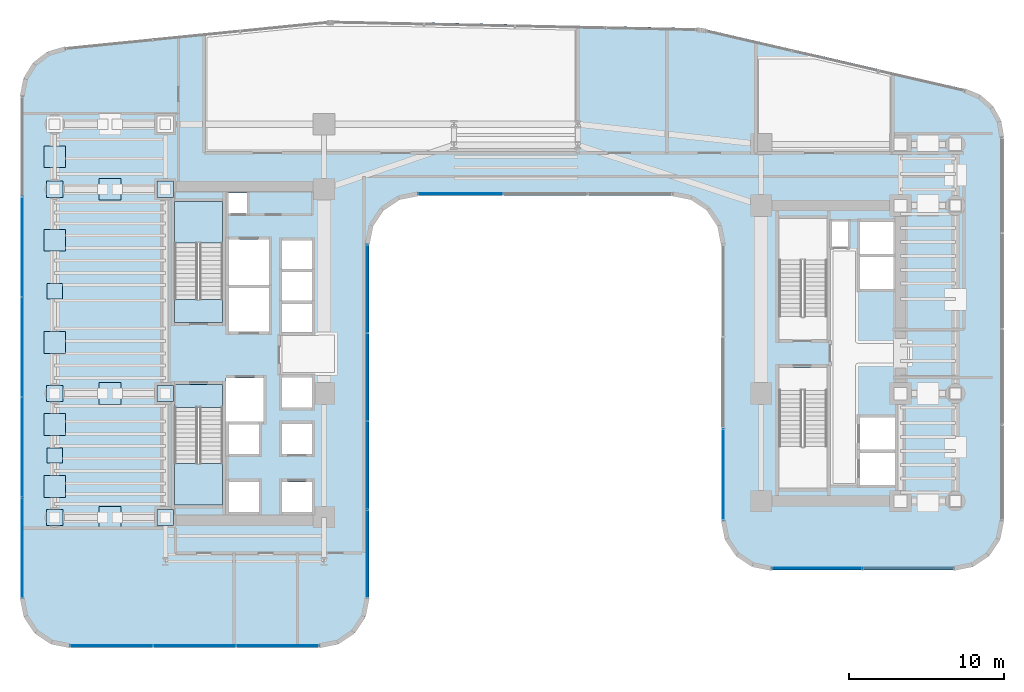
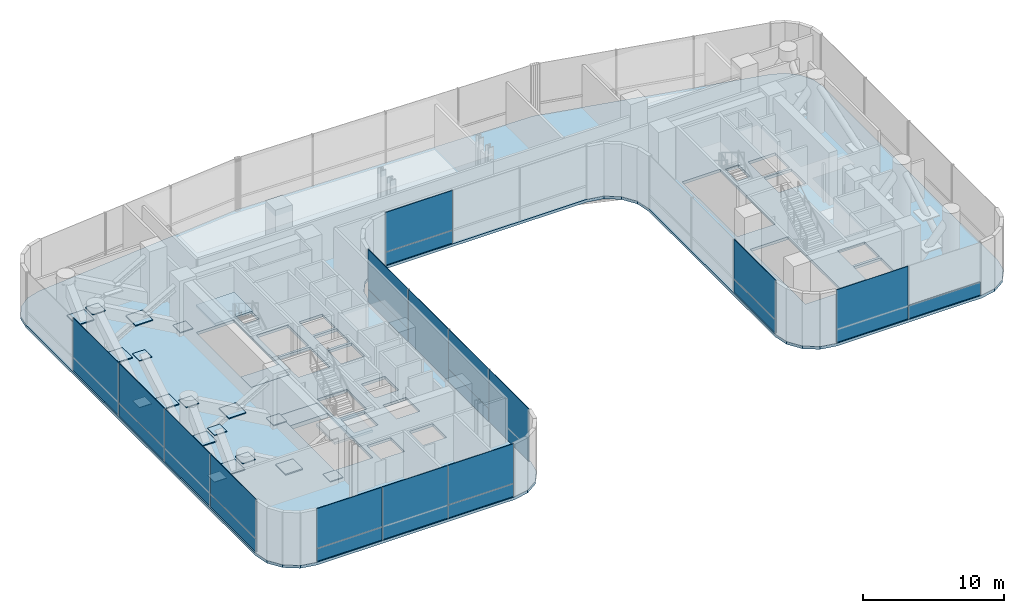
# One storey, part 30 of 39: 41 plates, 5 slabs, 8 elements without a shape of their own.
"""IFC4 building model written with IfcOpenShell, lengths in metres."""

import ifcopenshell
import ifcopenshell.guid

model = None  # the IFC model being written
_history = None  # IfcOwnerHistory: only IFC2X3 demands one
_inside = {}  # id of a spatial element -> (the spatial element, [elements in it])
_under = {}  # id of a project, library or spatial element -> (it, [spatial elements below it])
_declared = {}  # id of a project -> (the project, [libraries it declares])
_typed = {}  # id of a type object -> (the type object, [elements of that type])
_made_of = {}  # id of a material, layer set ... -> (it, [elements and type objects made of it])


def new_model(schema):
    """Start an empty IFC model of exactly this schema.

    Asked for "IFC4X3", IfcOpenShell would pick the latest addendum, in which some entities
    have other attributes; the version numbers below select the first issue.
    IFC2X3 requires an IfcOwnerHistory on every rooted entity: one is made here for all.
    """
    global model, _history
    if schema == "IFC4X3":
        model = ifcopenshell.file(schema_version=(4, 3, 0, 0))
    else:
        model = ifcopenshell.file(schema=schema)
    _inside.clear()
    _under.clear()
    _declared.clear()
    _typed.clear()
    _made_of.clear()
    _history = None
    if model.schema == "IFC2X3":
        org = make("IfcOrganization", Name="unknown")
        user = make(
            "IfcPersonAndOrganization",
            ThePerson=make("IfcPerson", FamilyName="unknown"),
            TheOrganization=org,
        )
        app = make(
            "IfcApplication",
            ApplicationDeveloper=org,
            Version="unknown",
            ApplicationFullName="unknown",
            ApplicationIdentifier="unknown",
        )
        _history = make(
            "IfcOwnerHistory",
            OwningUser=user,
            OwningApplication=app,
            ChangeAction="ADDED",
            CreationDate=0,
        )
    return model


def make(cls, **values):
    """One entity of the class cls with the attributes given. An attribute that is None is left unset."""
    return model.create_entity(
        cls, **{name: value for name, value in values.items() if value is not None}
    )


def rooted(cls, **values):
    """An entity with a GlobalId (a new one), such as an element, a storey or a relation."""
    return make(cls, GlobalId=ifcopenshell.guid.new(), OwnerHistory=_history, **values)


def si_unit(unit_type, name, prefix=None):
    """IfcSIUnit, for example si_unit("LENGTHUNIT", "METRE", prefix="MILLI")."""
    return make("IfcSIUnit", UnitType=unit_type, Prefix=prefix, Name=name)


def assignment(units):
    """IfcUnitAssignment: the units of a project."""
    return None if units is None else make("IfcUnitAssignment", Units=units)


def point(xyz):
    """IfcCartesianPoint."""
    return None if xyz is None else make("IfcCartesianPoint", Coordinates=xyz)


def direction(xyz):
    """IfcDirection."""
    return None if xyz is None else make("IfcDirection", DirectionRatios=xyz)


def frame(location, z_axis=None, x_axis=None):
    """IfcAxis2Placement3D, a coordinate frame: its origin and axes. An axis left out is left unset."""
    return make(
        "IfcAxis2Placement3D",
        Location=point(location),
        Axis=direction(z_axis),
        RefDirection=direction(x_axis),
    )


def frame_2d(location, x_axis=None):
    """IfcAxis2Placement2D, a coordinate frame in the plane: its origin and x axis."""
    return make(
        "IfcAxis2Placement2D", Location=point(location), RefDirection=direction(x_axis)
    )


def origin():
    """The frame at (0, 0, 0) with its axes left unset."""
    return frame((0.0, 0.0, 0.0))


def origin_2d():
    """The frame at (0, 0) in the plane with its x axis left unset."""
    return frame_2d((0.0, 0.0))


def place(relative_to, where):
    """IfcLocalPlacement: puts the frame where relative to a parent placement (None: the world)."""
    return make(
        "IfcLocalPlacement", PlacementRelTo=relative_to, RelativePlacement=where
    )


def context(
    kind, dimensions, precision=None, world=None, true_north=None, identifier=None
):
    """IfcGeometricRepresentationContext, for example the 3D "Model" context."""
    return make(
        "IfcGeometricRepresentationContext",
        ContextIdentifier=identifier,
        ContextType=kind,
        CoordinateSpaceDimension=dimensions,
        Precision=precision,
        WorldCoordinateSystem=world,
        TrueNorth=true_north,
    )


def subcontext(parent, identifier, kind, view, scale=None):
    """IfcGeometricRepresentationSubContext, for example "Body" below "Model"."""
    return make(
        "IfcGeometricRepresentationSubContext",
        ContextIdentifier=identifier,
        ContextType=kind,
        ParentContext=parent,
        TargetScale=scale,
        TargetView=view,
    )


def project(units=None, contexts=None):
    """IfcProject with its units and contexts."""
    return rooted(
        "IfcProject",
        Name="project",
        RepresentationContexts=contexts,
        UnitsInContext=assignment(units),
    )


def spatial(cls, under=None, at=None, **own):
    """A site, building, storey or space (cls), placed at a placement, below another one or the project."""
    s = rooted(cls, ObjectPlacement=at, **own)
    if under is not None:
        _under.setdefault(under.id(), (under, []))[1].append(s)
    return s


def polyline(points):
    """IfcPolyline through the points."""
    return make("IfcPolyline", Points=[point(p) for p in points])


def profile(cls, at=None, kind="AREA", **sizes):
    """A parametric profile (cls). Its sizes go by their IFC names, for example OverallWidth=200.0."""
    return make(cls, ProfileType=kind, Position=at, **sizes)


def rectangle(**sizes):
    """IfcRectangleProfileDef."""
    return profile("IfcRectangleProfileDef", **sizes)


def outline(outer, holes=None, kind="AREA"):
    """IfcArbitraryClosedProfileDef: a profile drawn as a closed curve; with holes, ...WithVoids."""
    if holes is None:
        return make("IfcArbitraryClosedProfileDef", ProfileType=kind, OuterCurve=outer)
    return make(
        "IfcArbitraryProfileDefWithVoids",
        ProfileType=kind,
        OuterCurve=outer,
        InnerCurves=holes,
    )


def extrude(swept, where, along, depth):
    """IfcExtrudedAreaSolid: the profile swept, set in the frame where, extruded along a direction by depth."""
    return make(
        "IfcExtrudedAreaSolid",
        SweptArea=swept,
        Position=where,
        ExtrudedDirection=direction(along),
        Depth=depth,
    )


def shape(context_of_items, identifier, shape_type, items):
    """IfcShapeRepresentation: the items that make up one representation, for example the "Body"."""
    return make(
        "IfcShapeRepresentation",
        ContextOfItems=context_of_items,
        RepresentationIdentifier=identifier,
        RepresentationType=shape_type,
        Items=items,
    )


def source(mapping_origin, context_of_items, identifier, shape_type, items):
    """IfcRepresentationMap: a shape defined once, which mapped items show again and again."""
    return make(
        "IfcRepresentationMap",
        MappingOrigin=mapping_origin,
        MappedRepresentation=shape(context_of_items, identifier, shape_type, items),
    )


def transform(
    local_origin,
    x_axis=None,
    y_axis=None,
    z_axis=None,
    scale=None,
    scale2=None,
    scale3=None,
    uniform=True,
):
    """IfcCartesianTransformationOperator3D, or its non-uniform kind. x_axis, y_axis, z_axis: its Axis1, 2, 3."""
    if uniform:
        return make(
            "IfcCartesianTransformationOperator3D",
            Axis1=direction(x_axis),
            Axis2=direction(y_axis),
            LocalOrigin=point(local_origin),
            Scale=scale,
            Axis3=direction(z_axis),
        )
    return make(
        "IfcCartesianTransformationOperator3DnonUniform",
        Axis1=direction(x_axis),
        Axis2=direction(y_axis),
        LocalOrigin=point(local_origin),
        Scale=scale,
        Axis3=direction(z_axis),
        Scale2=scale2,
        Scale3=scale3,
    )


def mapped(mapping_source, mapping_target):
    """IfcMappedItem: shows the shape of a source again, moved by a transform."""
    return make(
        "IfcMappedItem", MappingSource=mapping_source, MappingTarget=mapping_target
    )


def material(Name=None, Category=None):
    """IfcMaterial."""
    return make("IfcMaterial", Name=Name, Category=Category)


def layer(
    of_material, thickness, ventilated=None, Name=None, Category=None, Priority=None
):
    """IfcMaterialLayer: one layer of a wall or slab, of a material (None: an air gap)."""
    return make(
        "IfcMaterialLayer",
        Material=of_material,
        LayerThickness=thickness,
        IsVentilated=ventilated,
        Name=Name,
        Category=Category,
        Priority=Priority,
    )


def layer_set(layers, Name=None):
    """IfcMaterialLayerSet."""
    return make("IfcMaterialLayerSet", MaterialLayers=layers, LayerSetName=Name)


def made_of(thing, what):
    """Note that an element or type object is made of a material, layer set ...; save() writes the relation."""
    if what is not None:
        _made_of.setdefault(what.id(), (what, []))[1].append(thing)
    return thing


def type_object(cls, material=None, **own):
    """A type object (cls), such as IfcWallType, which elements share."""
    return made_of(rooted(cls, **own), material)


def element(
    cls,
    number,
    at=None,
    inside=None,
    cuts=None,
    type_object=None,
    material=None,
    context=None,
    identifier="Body",
    shape_type=None,
    held_by="IfcProductDefinitionShape",
    body=None,
    shapes=None,
    **own,
):
    """One element of the class cls, such as IfcWall. Its Tag is "e" and its number.

    at: its placement. inside: the storey or other place that contains it. cuts: it is an
    opening in that element (IfcRelVoidsElement). A single representation is given by context,
    identifier, shape_type and body (its items); several are given by shapes. held_by: the class
    of the entity that holds the representations. save() writes the other relations.
    """
    e = rooted(cls, Tag="e%d" % number, ObjectPlacement=at, **own)
    if body is not None:
        shapes = [shape(context, identifier, shape_type, body)]
    if shapes is not None:
        e.Representation = make(held_by, Representations=shapes)
    if inside is not None:
        _inside.setdefault(inside.id(), (inside, []))[1].append(e)
    if cuts is not None:
        rooted(
            "IfcRelVoidsElement", RelatingBuildingElement=cuts, RelatedOpeningElement=e
        )
    if type_object is not None:
        _typed.setdefault(type_object.id(), (type_object, []))[1].append(e)
    return made_of(e, material)


def aggregate(whole, parts):
    """IfcRelAggregates: a whole, such as a stair, and the parts it consists of."""
    return rooted("IfcRelAggregates", RelatingObject=whole, RelatedObjects=parts)


def save(model, path):
    """Write the relations noted so far, then the file.

    IfcRelAggregates (storeys below a building ...), IfcRelContainedInSpatialStructure (elements
    in a storey), IfcRelDefinesByType, IfcRelAssociatesMaterial and IfcRelDeclares: one each for
    every whole, place, type object, material and project.
    """
    for whole, parts in _under.values():
        aggregate(whole, parts)
    for where, things in _inside.values():
        rooted(
            "IfcRelContainedInSpatialStructure",
            RelatedElements=things,
            RelatingStructure=where,
        )
    for kind, things in _typed.values():
        rooted("IfcRelDefinesByType", RelatedObjects=things, RelatingType=kind)
    for what, things in _made_of.values():
        rooted("IfcRelAssociatesMaterial", RelatedObjects=things, RelatingMaterial=what)
    for by, libraries in _declared.values():
        rooted("IfcRelDeclares", RelatingContext=by, RelatedDefinitions=libraries)
    model.write(path)


model = new_model("IFC4")

# Units and contexts
model_context = context("Model", 3, precision=1e-05, world=origin(), true_north=direction((0.0, 1.0)))
body_context = subcontext(model_context, "Body", "Model", "MODEL_VIEW")
ifc_project = project(units=[si_unit("LENGTHUNIT", "METRE"), si_unit("AREAUNIT", "SQUARE_METRE"), si_unit("VOLUMEUNIT", "CUBIC_METRE"), si_unit("PLANEANGLEUNIT", "RADIAN"), si_unit("MASSUNIT", "GRAM", prefix="KILO")], contexts=[model_context])

# Site, building, storey
site_placement = place(None, origin())
site = spatial("IfcSite", under=ifc_project, at=site_placement, CompositionType="ELEMENT")
building_placement = place(site_placement, origin())
building = spatial("IfcBuilding", under=site, at=building_placement, Name="Valdorenza Pilgrim Sanctuary Tower", CompositionType="ELEMENT")
storey_placement = place(building_placement, frame((0.0, 0.0, 96.300048828125)))
storey = spatial("IfcBuildingStorey", under=building, at=storey_placement, Name="L24", CompositionType="ELEMENT", Elevation=96.300048828125)

# Slab
ifc_material_1 = material(Name="Concrete C40/50", Category="concrete")
ifc_layer_1 = layer(ifc_material_1, 0.239990234375, Name="Concrete C40/50")
ifc_layer_set_1 = layer_set([ifc_layer_1], Name="Concrete C40/50")
slab_type_1 = type_object("IfcSlabType", Name="SLAB-PLT-240", PredefinedType="FLOOR", material=ifc_layer_set_1)
slab_1_placement = place(storey_placement, frame((0.0, 0.0, -0.239990234375)))
element("IfcSlab", 1, at=slab_1_placement, inside=storey, type_object=slab_type_1, Name="L24 Structural Floor Slab 1", PredefinedType="FLOOR", context=body_context, shape_type="SweptSolid", body=[
    extrude(outline(polyline([(-32.0, 16.60400390625), (-31.785888671875, 17.754638671875), (-31.172607421875, 18.751220703125), (-30.241943359375, 19.460693359375), (-29.118408203125, 19.7880859375), (-12.192138671875, 21.480712890625), (-12.095947265625, 21.489013671875), (-11.999755859375, 21.494140625), (-11.9033203125, 21.49658203125), (-11.806884765625, 21.49609375), (11.66943359375, 21.0068359375), (11.833984375, 20.999267578125), (11.997802734375, 20.983154296875), (12.160888671875, 20.95849609375), (12.322265625, 20.925537109375), (29.01953125, 17.072509765625), (30.00732421875, 16.660888671875), (30.80419921875, 15.946533203125), (31.321044921875, 15.009521484375), (31.5, 13.954345703125), (31.5, -10.800048828125), (31.25634765625, -12.024658203125), (30.562744140625, -13.062744140625), (29.524658203125, -13.75634765625), (28.300048828125, -14.0), (16.5, -14.0), (15.275390625, -13.75634765625), (14.2373046875, -13.062744140625), (13.543701171875, -12.024658203125), (13.300048828125, -10.800048828125), (13.300048828125, 7.0), (13.056396484375, 8.224609375), (12.36279296875, 9.2626953125), (11.32470703125, 9.956298828125), (10.10009765625, 10.199951171875), (-6.300048828125, 10.199951171875), (-7.524658203125, 9.956298828125), (-8.562744140625, 9.2626953125), (-9.25634765625, 8.224609375), (-9.5, 7.0), (-9.5, -15.800048828125), (-9.74365234375, -17.024658203125), (-10.437255859375, -18.062744140625), (-11.475341796875, -18.75634765625), (-12.699951171875, -19.0), (-28.800048828125, -19.0), (-30.024658203125, -18.75634765625), (-31.062744140625, -18.062744140625), (-31.75634765625, -17.024658203125), (-32.0, -15.800048828125), (-32.0, 16.60400390625)]), holes=[polyline([(-16.60009765625, -10.25), (-16.60009765625, -8.300048828125), (-18.550048828125, -8.300048828125), (-18.550048828125, -10.25), (-16.60009765625, -10.25)]), polyline([(-22.050048828125, -9.800048828125), (-18.93994140625, -9.800048828125), (-18.93994140625, -3.485107421875), (-18.93994140625, -2.0), (-22.050048828125, -2.0), (-22.050048828125, -3.485107421875), (-22.050048828125, -9.800048828125)]), polyline([(-18.550048828125, -6.5), (-16.60009765625, -6.5), (-16.60009765625, -4.60009765625), (-18.550048828125, -4.60009765625), (-18.550048828125, -6.5)]), polyline([(-13.179931640625, -6.5), (-13.179931640625, -4.550048828125), (-15.10009765625, -4.550048828125), (-15.10009765625, -6.5), (-13.179931640625, -6.5)]), polyline([(-18.719970703125, -4.39990234375), (-16.300048828125, -4.39990234375), (-16.300048828125, -1.60009765625), (-18.719970703125, -1.60009765625), (-18.719970703125, -4.39990234375)]), polyline([(-13.179931640625, -3.5), (-13.179931640625, -1.550048828125), (-15.10009765625, -1.550048828125), (-15.10009765625, -3.5), (-13.179931640625, -3.5)]), polyline([(-22.050048828125, 2.0), (-18.93994140625, 2.0), (-18.93994140625, 3.485107421875), (-18.93994140625, 9.800048828125), (-22.050048828125, 9.800048828125), (-22.050048828125, 3.485107421875), (-22.050048828125, 2.0)]), polyline([(-18.550048828125, 1.39990234375), (-15.949951171875, 1.39990234375), (-15.949951171875, 4.22509765625), (-18.550048828125, 4.22509765625), (-18.550048828125, 1.39990234375)]), polyline([(-15.949951171875, 4.425048828125), (-15.949951171875, 7.35009765625), (-18.550048828125, 7.35009765625), (-18.550048828125, 4.425048828125), (-15.949951171875, 4.425048828125)]), polyline([(-15.10009765625, 5.449951171875), (-13.179931640625, 5.449951171875), (-13.179931640625, 7.300048828125), (-15.10009765625, 7.300048828125), (-15.10009765625, 5.449951171875)]), polyline([(-17.360107421875, 9.030029296875), (-17.360107421875, 10.35009765625), (-18.570068359375, 10.35009765625), (-18.570068359375, 9.030029296875), (-17.360107421875, 9.030029296875)]), polyline([(-15.10009765625, -10.25), (-13.179931640625, -10.25), (-13.179931640625, -8.300048828125), (-15.10009765625, -8.300048828125), (-15.10009765625, -10.25)]), polyline([(22.25, -8.5), (24.47998046875, -8.5), (24.47998046875, -6.425048828125), (22.25, -6.425048828125), (22.25, -8.5)]), polyline([(17.0, -2.385009765625), (17.0, -8.699951171875), (20.110107421875, -8.699951171875), (20.110107421875, -2.385009765625), (20.110107421875, -0.89990234375), (17.0, -0.89990234375), (17.0, -2.385009765625)]), polyline([(22.25, -6.22509765625), (24.47998046875, -6.22509765625), (24.47998046875, -4.14990234375), (22.25, -4.14990234375), (22.25, -6.22509765625)]), polyline([(17.0, 0.89990234375), (20.110107421875, 0.89990234375), (20.110107421875, 2.385009765625), (20.110107421875, 8.699951171875), (17.0, 8.699951171875), (17.0, 2.385009765625), (17.0, 0.89990234375)]), polyline([(-15.10009765625, 1.35009765625), (-13.179931640625, 1.35009765625), (-13.179931640625, 3.199951171875), (-15.10009765625, 3.199951171875), (-15.10009765625, 1.35009765625)]), polyline([(-15.10009765625, 3.39990234375), (-13.179931640625, 3.39990234375), (-13.179931640625, 5.25), (-15.10009765625, 5.25), (-15.10009765625, 3.39990234375)]), polyline([(22.25, 4.14990234375), (24.47998046875, 4.14990234375), (24.47998046875, 6.22509765625), (22.25, 6.22509765625), (22.25, 4.14990234375)]), polyline([(22.25, 6.425048828125), (24.47998046875, 6.425048828125), (24.47998046875, 8.5), (22.25, 8.5), (22.25, 6.425048828125)]), polyline([(20.409912109375, 6.860107421875), (21.489990234375, 6.860107421875), (21.489990234375, 8.52001953125), (20.409912109375, 8.52001953125), (20.409912109375, 6.860107421875)])]), origin(), (0.0, 0.0, 1.0), 0.239990234375),
])

# Stair, slab
stair_type = type_object("IfcStairType", Name="STR-DOG-CORE", PredefinedType="HALF_TURN_STAIR", material=ifc_material_1)
stair_1_placement = place(storey_placement, origin())
stair_1 = element("IfcStair", 2, at=stair_1_placement, inside=storey, type_object=stair_type, Name="L24 ST-A1", PredefinedType="HALF_TURN_STAIR")
ifc_layer_2 = layer(ifc_material_1, 0.199951171875, Name="Concrete C40/50")
ifc_layer_set_2 = layer_set([ifc_layer_2], Name="Concrete C40/50")
slab_type_2 = type_object("IfcSlabType", Name="SLAB-STL-200", PredefinedType="LANDING", material=ifc_layer_set_2)
slab_2_placement = place(storey_placement, frame((0.0, 0.0, 2.199951171875)))
slab_2 = element("IfcSlab", 3, at=slab_2_placement, type_object=slab_type_2, Name="ST-A1 landing 1", PredefinedType="LANDING", context=body_context, shape_type="SweptSolid", body=[
    extrude(outline(polyline([(-18.93994140625, 7.1201171875), (-18.93994140625, 9.800048828125), (-22.050048828125, 9.800048828125), (-22.050048828125, 7.1201171875), (-18.93994140625, 7.1201171875)])), origin(), (0.0, 0.0, 1.0), 0.199951171875),
])
aggregate(stair_1, [slab_2])

stair_2_placement = place(storey_placement, origin())
stair_2 = element("IfcStair", 4, at=stair_2_placement, inside=storey, type_object=stair_type, Name="L24 ST-A2", PredefinedType="HALF_TURN_STAIR")
slab_3_placement = place(storey_placement, frame((0.0, 0.0, 2.199951171875)))
slab_3 = element("IfcSlab", 5, at=slab_3_placement, type_object=slab_type_2, Name="ST-A2 landing 1", PredefinedType="LANDING", context=body_context, shape_type="SweptSolid", body=[
    extrude(outline(polyline([(-22.050048828125, -7.1201171875), (-22.050048828125, -9.800048828125), (-18.93994140625, -9.800048828125), (-18.93994140625, -7.1201171875), (-22.050048828125, -7.1201171875)])), origin(), (0.0, 0.0, 1.0), 0.199951171875),
])
aggregate(stair_2, [slab_3])

# Slabs
ifc_material_2 = material(Name="Concrete C50/60", Category="concrete")
ifc_layer_3 = layer(ifc_material_2, 0.39990234375, Name="Concrete C50/60")
ifc_layer_set_3 = layer_set([ifc_layer_3], Name="Concrete C50/60")
slab_type_3 = type_object("IfcSlabType", Name="SLAB-TRF-400", PredefinedType="FLOOR", material=ifc_layer_set_3)
slab_4_placement = place(storey_placement, frame((0.0, 0.0, -0.360107421875)))
element("IfcSlab", 6, at=slab_4_placement, inside=storey, type_object=slab_type_3, Name="L24 ST-A1 Structural Stair Landing Bearing Slab", PredefinedType="FLOOR", context=body_context, shape_type="SweptSolid", body=[
    extrude(outline(polyline([(-22.050048828125, 2.0), (-18.93994140625, 2.0), (-18.93994140625, 3.485107421875), (-22.050048828125, 3.485107421875), (-22.050048828125, 2.0)])), origin(), (0.0, 0.0, 1.0), 0.360107421875),
])
slab_5_placement = place(storey_placement, frame((0.0, 0.0, -0.360107421875)))
element("IfcSlab", 7, at=slab_5_placement, inside=storey, type_object=slab_type_3, Name="L24 ST-A2 Structural Stair Landing Bearing Slab", PredefinedType="FLOOR", context=body_context, shape_type="SweptSolid", body=[
    extrude(outline(polyline([(-22.050048828125, -3.485107421875), (-18.93994140625, -3.485107421875), (-18.93994140625, -2.0), (-22.050048828125, -2.0), (-22.050048828125, -3.485107421875)])), origin(), (0.0, 0.0, 1.0), 0.360107421875),
])

# Plates
ifc_material_3 = material(Name="Steel ASTM A572 Grade 42", Category="steel")
ifc_layer_4 = layer(ifc_material_3, 0.06005859375, Name="Steel ASTM A572 Grade 42")
ifc_layer_set_4 = layer_set([ifc_layer_4], Name="Steel ASTM A572 Grade 42")
plate_type_1 = type_object("IfcPlateType", Name="PLT-CAP-60", PredefinedType="SHEET", material=ifc_layer_set_4)
shared_shape_1 = source(origin(), body_context, "Body", "SweptSolid", [
    extrude(rectangle(XDim=1.050048828125, YDim=1.050048828125, at=origin_2d()), origin(), (0.0, 0.0, 1.0), 0.06005859375),
])
for number, where, z_axis, x_axis, name in (
    (8, (-22.64990234375, -10.60009765625, 0.169921875), (0.0, 0.0, 1.0), (1.0, 0.0, 0.0), "L24 Outrigger Truss Diagonal WA1A End Connection Plate 1"),
    (9, (-29.800048828125, -10.60009765625, 4.219970703125), (0.0, 0.0, 1.0), (1.0, 0.0, 0.0), "L24 Outrigger Truss Diagonal WA1A End Connection Plate 2"),
    (10, (-22.64990234375, -2.60009765625, 0.169921875), (0.0, 0.0, 1.0), (1.0, 0.0, 0.0), "L24 Outrigger Truss Diagonal WA2A End Connection Plate 1"),
    (11, (-29.800048828125, -2.60009765625, 4.219970703125), (0.0, 0.0, 1.0), (1.0, 0.0, 0.0), "L24 Outrigger Truss Diagonal WA2A End Connection Plate 2"),
    (12, (-22.64990234375, 10.60009765625, 0.169921875), (0.0, 0.0, 1.0), (1.0, 0.0, 0.0), "L24 Outrigger Truss Diagonal WA3A End Connection Plate 1"),
    (13, (-29.800048828125, 10.60009765625, 4.219970703125), (0.0, 0.0, 1.0), (1.0, 0.0, 0.0), "L24 Outrigger Truss Diagonal WA3A End Connection Plate 2"),
):
    element("IfcPlate", number, at=place(storey_placement, frame(where, z_axis=z_axis, x_axis=x_axis)), inside=storey, type_object=plate_type_1, Name=name, PredefinedType="SHEET", context=body_context, shape_type="MappedRepresentation", body=[
        mapped(shared_shape_1, transform((0.0, 0.0, 0.0), x_axis=(1.0, 0.0, 0.0), y_axis=(0.0, 1.0, 0.0), z_axis=(0.0, 0.0, 1.0), scale=1.0)),
    ])
ifc_layer_5 = layer(ifc_material_3, 0.090087890625, Name="Steel ASTM A572 Grade 42")
ifc_layer_set_5 = layer_set([ifc_layer_5], Name="Steel ASTM A572 Grade 42")
plate_type_2 = type_object("IfcPlateType", Name="PLT-GUS-90", PredefinedType="USERDEFINED", material=ifc_layer_set_5)
shared_shape_2 = source(origin(), body_context, "Body", "SweptSolid", [
    extrude(rectangle(XDim=1.39990234375, YDim=1.39990234375, at=origin_2d()), origin(), (0.0, 0.0, 1.0), 0.090087890625),
])
for number, where, z_axis, x_axis, name in (
    (14, (-26.22509765625, -10.60009765625, 2.1796875), (0.0, 0.0, 1.0), (1.0, 0.0, 0.0), "Truss X-Brace Node Gusset Assembly ON-01 (MB-OUT-L24-WA1A)"),
    (15, (-26.22509765625, -2.60009765625, 2.1796875), (0.0, 0.0, 1.0), (1.0, 0.0, 0.0), "Truss X-Brace Node Gusset Assembly ON-01 (MB-OUT-L24-WA2A)"),
    (16, (-26.22509765625, 10.60009765625, 2.1796875), (0.0, 0.0, 1.0), (1.0, 0.0, 0.0), "Truss X-Brace Node Gusset Assembly ON-01 (MB-OUT-L24-WA3A)"),
    (17, (-29.800048828125, -8.60009765625, 2.1796875), (0.0, 0.0, 1.0), (1.0, 0.0, 0.0), "Truss Node Gusset Assembly BN-01 (MB-BLT-L24-W1)"),
    (18, (-29.800048828125, -4.60009765625, 2.1796875), (0.0, 0.0, 1.0), (1.0, 0.0, 0.0), "Truss Node Gusset Assembly BN-01 (MB-BLT-L24-W2)"),
    (19, (-29.800048828125, 0.699951171875, 2.1796875), (0.0, 0.0, 1.0), (1.0, 0.0, 0.0), "Truss Node Gusset Assembly BN-01 (MB-BLT-L24-W3)"),
    (20, (-29.800048828125, 7.300048828125, 2.1796875), (0.0, 0.0, 1.0), (1.0, 0.0, 0.0), "Truss Node Gusset Assembly BN-01 (MB-BLT-L24-W4)"),
    (21, (-29.800048828125, 12.699951171875, 2.1796875), (0.0, 0.0, 1.0), (1.0, 0.0, 0.0), "Truss Node Gusset Assembly BN-01 (MB-BLT-L24-W5)"),
):
    element("IfcPlate", number, at=place(storey_placement, frame(where, z_axis=z_axis, x_axis=x_axis)), inside=storey, type_object=plate_type_2, Name=name, ObjectType="GUSSET PLATE", PredefinedType="USERDEFINED", context=body_context, shape_type="MappedRepresentation", body=[
        mapped(shared_shape_2, transform((0.0, 0.0, 0.0), x_axis=(1.0, 0.0, 0.0), y_axis=(0.0, 1.0, 0.0), z_axis=(0.0, 0.0, 1.0), scale=1.0)),
    ])
shared_shape_3 = source(origin(), body_context, "Body", "SweptSolid", [
    extrude(rectangle(XDim=1.0, YDim=1.0, at=origin_2d()), origin(), (0.0, 0.0, 1.0), 0.06005859375),
])
for number, where, z_axis, x_axis, name in (
    (22, (-29.800048828125, -6.60009765625, 4.219970703125), (0.0, 0.0, 1.0), (1.0, 0.0, 0.0), "L24 Perimeter Belt Truss Diagonal W1 End Connection Plate 2"),
    (23, (-29.800048828125, -6.60009765625, 0.169921875), (0.0, 0.0, 1.0), (1.0, 0.0, 0.0), "L24 Perimeter Belt Truss Diagonal W2 End Connection Plate 1"),
    (24, (-29.800048828125, 4.0, 4.219970703125), (0.0, 0.0, 1.0), (1.0, 0.0, 0.0), "L24 Perimeter Belt Truss Diagonal W3 End Connection Plate 2"),
    (25, (-29.800048828125, 4.0, 0.169921875), (0.0, 0.0, 1.0), (1.0, 0.0, 0.0), "L24 Perimeter Belt Truss Diagonal W4 End Connection Plate 1"),
):
    element("IfcPlate", number, at=place(storey_placement, frame(where, z_axis=z_axis, x_axis=x_axis)), inside=storey, type_object=plate_type_1, Name=name, PredefinedType="SHEET", context=body_context, shape_type="MappedRepresentation", body=[
        mapped(shared_shape_3, transform((0.0, 0.0, 0.0), x_axis=(1.0, 0.0, 0.0), y_axis=(0.0, 1.0, 0.0), z_axis=(0.0, 0.0, 1.0), scale=1.0)),
    ])

# Curtain wall, plate
ifc_material_4 = material(Name="Curtain-wall IGU glazing", Category="glass")
curtain_wall_type_1 = type_object("IfcCurtainWallType", Name="CW-SYS-03", PredefinedType="NOTDEFINED", material=ifc_material_4)
curtain_wall_1_placement = place(storey_placement, origin())
curtain_wall_1 = element("IfcCurtainWall", 26, at=curtain_wall_1_placement, inside=storey, type_object=curtain_wall_type_1, Name="L24 Curtain Wall CW-L24-1-26", PredefinedType="NOTDEFINED")
ifc_material_5 = material(Name="Honed travertine limestone", Category="masonry")
ifc_layer_6 = layer(ifc_material_5, 0.050048828125, Name="Honed travertine limestone")
ifc_layer_set_6 = layer_set([ifc_layer_6], Name="Honed travertine limestone")
plate_type_3 = type_object("IfcPlateType", Name="CW-SPN-TRV", PredefinedType="USERDEFINED", material=ifc_layer_set_6)
shared_shape_4 = source(origin(), body_context, "Body", "SweptSolid", [
    extrude(rectangle(XDim=5.869140625, YDim=0.06005859375, at=origin_2d()), origin(), (0.0, 0.0, 1.0), 1.10009765625),
])
plate_1_placement = place(storey_placement, frame((25.344482421875, -13.889892578125, 0.010009765625), z_axis=(0.0, 0.0, 1.0), x_axis=(-1.0, 0.0, 0.0)))
plate_1 = element("IfcPlate", 27, at=plate_1_placement, type_object=plate_type_3, Name="CW-L24-1-26 Travertine Spandrel 1", ObjectType="SPANDREL", PredefinedType="USERDEFINED", context=body_context, shape_type="MappedRepresentation", body=[
    mapped(shared_shape_4, transform((0.0, 0.0, 0.0), x_axis=(1.0, 0.0, 0.0), y_axis=(0.0, 1.0, 0.0), z_axis=(0.0, 0.0, 1.0), scale=1.0)),
])

curtain_wall_2_placement = place(storey_placement, origin())
curtain_wall_2 = element("IfcCurtainWall", 28, at=curtain_wall_2_placement, inside=storey, type_object=curtain_wall_type_1, Name="L24 Curtain Wall CW-L24-1-31", PredefinedType="NOTDEFINED")
shared_shape_5 = source(origin(), body_context, "Body", "SweptSolid", [
    extrude(rectangle(XDim=5.913330078125, YDim=0.06005859375, at=origin_2d()), origin(), (0.0, 0.0, 1.0), 1.10009765625),
])
plate_2_placement = place(storey_placement, frame((13.409912109375, -7.822509765625, 0.010009765625), z_axis=(0.0, 0.0, 1.0), x_axis=(0.0, 1.0, 0.0)))
plate_2 = element("IfcPlate", 29, at=plate_2_placement, type_object=plate_type_3, Name="CW-L24-1-31 Travertine Spandrel 1", ObjectType="SPANDREL", PredefinedType="USERDEFINED", context=body_context, shape_type="MappedRepresentation", body=[
    mapped(shared_shape_5, transform((0.0, 0.0, 0.0), x_axis=(1.0, 0.0, 0.0), y_axis=(0.0, 1.0, 0.0), z_axis=(0.0, 0.0, 1.0), scale=1.0)),
])

curtain_wall_type_2 = type_object("IfcCurtainWallType", Name="CW-SYS-02", PredefinedType="NOTDEFINED", material=ifc_material_4)
curtain_wall_3_placement = place(storey_placement, origin())
curtain_wall_3 = element("IfcCurtainWall", 30, at=curtain_wall_3_placement, inside=storey, type_object=curtain_wall_type_2, Name="L24 Curtain Wall CW-L24-1-36", PredefinedType="NOTDEFINED")
shared_shape_6 = source(origin(), body_context, "Body", "SweptSolid", [
    extrude(rectangle(XDim=5.453857421875, YDim=0.06005859375, at=origin_2d()), origin(), (0.0, 0.0, 1.0), 1.10009765625),
])
plate_3_placement = place(storey_placement, frame((-3.573974609375, 10.31005859375, 0.010009765625), z_axis=(0.0, 0.0, 1.0), x_axis=(-1.0, 0.0, 0.0)))
plate_3 = element("IfcPlate", 31, at=plate_3_placement, type_object=plate_type_3, Name="CW-L24-1-36 Travertine Spandrel 3", ObjectType="SPANDREL", PredefinedType="USERDEFINED", context=body_context, shape_type="MappedRepresentation", body=[
    mapped(shared_shape_6, transform((0.0, 0.0, 0.0), x_axis=(1.0, 0.0, 0.0), y_axis=(0.0, 1.0, 0.0), z_axis=(0.0, 0.0, 1.0), scale=1.0)),
])

# Curtain wall, plates
curtain_wall_4_placement = place(storey_placement, origin())
curtain_wall_4 = element("IfcCurtainWall", 32, at=curtain_wall_4_placement, inside=storey, type_object=curtain_wall_type_2, Name="L24 Curtain Wall CW-L24-1-41", PredefinedType="NOTDEFINED")
shared_shape_7 = source(origin(), body_context, "Body", "SweptSolid", [
    extrude(rectangle(XDim=5.679931640625, YDim=0.06005859375, at=origin_2d()), origin(), (0.0, 0.0, 1.0), 1.10009765625),
])
plate_4_placement = place(storey_placement, frame((-9.610107421875, 4.160888671875, 0.010009765625), z_axis=(0.0, 0.0, 1.0), x_axis=(0.0, -1.0, 0.0)))
plate_4 = element("IfcPlate", 33, at=plate_4_placement, type_object=plate_type_3, Name="CW-L24-1-41 Travertine Spandrel 1", ObjectType="SPANDREL", PredefinedType="USERDEFINED", context=body_context, shape_type="MappedRepresentation", body=[
    mapped(shared_shape_7, transform((0.0, 0.0, 0.0), x_axis=(1.0, 0.0, 0.0), y_axis=(0.0, 1.0, 0.0), z_axis=(0.0, 0.0, 1.0), scale=1.0)),
])
plate_5_placement = place(storey_placement, frame((-9.610107421875, -7.2392578125, 0.010009765625), z_axis=(0.0, 0.0, 1.0), x_axis=(0.0, -1.0, 0.0)))
plate_5 = element("IfcPlate", 34, at=plate_5_placement, type_object=plate_type_3, Name="CW-L24-1-41 Travertine Spandrel 3", ObjectType="SPANDREL", PredefinedType="USERDEFINED", context=body_context, shape_type="MappedRepresentation", body=[
    mapped(shared_shape_7, transform((0.0, 0.0, 0.0), x_axis=(1.0, 0.0, 0.0), y_axis=(0.0, 1.0, 0.0), z_axis=(0.0, 0.0, 1.0), scale=1.0)),
])

curtain_wall_5_placement = place(storey_placement, origin())
curtain_wall_5 = element("IfcCurtainWall", 35, at=curtain_wall_5_placement, inside=storey, type_object=curtain_wall_type_2, Name="L24 Curtain Wall CW-L24-1-46", PredefinedType="NOTDEFINED")
shared_shape_8 = source(origin(), body_context, "Body", "SweptSolid", [
    extrude(rectangle(XDim=5.339599609375, YDim=0.06005859375, at=origin_2d()), origin(), (0.0, 0.0, 1.0), 1.10009765625),
])
plate_6_placement = place(storey_placement, frame((-15.390380859375, -18.889892578125, 0.010009765625), z_axis=(0.0, 0.0, 1.0), x_axis=(-1.0, 0.0, 0.0)))
plate_6 = element("IfcPlate", 36, at=plate_6_placement, type_object=plate_type_3, Name="CW-L24-1-46 Travertine Spandrel 1", ObjectType="SPANDREL", PredefinedType="USERDEFINED", context=body_context, shape_type="MappedRepresentation", body=[
    mapped(shared_shape_8, transform((0.0, 0.0, 0.0), x_axis=(1.0, 0.0, 0.0), y_axis=(0.0, 1.0, 0.0), z_axis=(0.0, 0.0, 1.0), scale=1.0)),
])
plate_7_placement = place(storey_placement, frame((-26.109619140625, -18.889892578125, 0.010009765625), z_axis=(0.0, 0.0, 1.0), x_axis=(-1.0, 0.0, 0.0)))
plate_7 = element("IfcPlate", 37, at=plate_7_placement, type_object=plate_type_3, Name="CW-L24-1-46 Travertine Spandrel 3", ObjectType="SPANDREL", PredefinedType="USERDEFINED", context=body_context, shape_type="MappedRepresentation", body=[
    mapped(shared_shape_8, transform((0.0, 0.0, 0.0), x_axis=(1.0, 0.0, 0.0), y_axis=(0.0, 1.0, 0.0), z_axis=(0.0, 0.0, 1.0), scale=1.0)),
])

curtain_wall_6_placement = place(storey_placement, origin())
curtain_wall_6 = element("IfcCurtainWall", 38, at=curtain_wall_6_placement, inside=storey, type_object=curtain_wall_type_2, Name="L24 Curtain Wall CW-L24-1-1", PredefinedType="NOTDEFINED")
shared_shape_9 = source(origin(), body_context, "Body", "SweptSolid", [
    extrude(rectangle(XDim=6.45654296875, YDim=0.06005859375, at=origin_2d()), origin(), (0.0, 0.0, 1.0), 1.10009765625),
])
plate_8_placement = place(storey_placement, frame((-31.889892578125, -12.55078125, 0.010009765625), z_axis=(0.0, 0.0, 1.0), x_axis=(0.0, 1.0, 0.0)))
plate_8 = element("IfcPlate", 39, at=plate_8_placement, type_object=plate_type_3, Name="CW-L24-1-1 Travertine Spandrel 1", ObjectType="SPANDREL", PredefinedType="USERDEFINED", context=body_context, shape_type="MappedRepresentation", body=[
    mapped(shared_shape_9, transform((0.0, 0.0, 0.0), x_axis=(1.0, 0.0, 0.0), y_axis=(0.0, 1.0, 0.0), z_axis=(0.0, 0.0, 1.0), scale=1.0)),
])
plate_9_placement = place(storey_placement, frame((-31.889892578125, 0.40234375, 0.010009765625), z_axis=(0.0, 0.0, 1.0), x_axis=(0.0, 1.0, 0.0)))
plate_9 = element("IfcPlate", 40, at=plate_9_placement, type_object=plate_type_3, Name="CW-L24-1-1 Travertine Spandrel 3", ObjectType="SPANDREL", PredefinedType="USERDEFINED", context=body_context, shape_type="MappedRepresentation", body=[
    mapped(shared_shape_9, transform((0.0, 0.0, 0.0), x_axis=(1.0, 0.0, 0.0), y_axis=(0.0, 1.0, 0.0), z_axis=(0.0, 0.0, 1.0), scale=1.0)),
])
ifc_material_6 = material(Name="Champagne anodised aluminium", Category="aluminium")
ifc_layer_7 = layer(ifc_material_6, 0.080078125, Name="Champagne anodised aluminium")
ifc_layer_set_7 = layer_set([ifc_layer_7], Name="Champagne anodised aluminium")
plate_type_4 = type_object("IfcPlateType", Name="LVR-PLT-ALU", PredefinedType="USERDEFINED", material=ifc_layer_set_7)
shared_shape_10 = source(origin(), body_context, "Body", "SweptSolid", [
    extrude(rectangle(XDim=6.45654296875, YDim=0.050048828125, at=origin_2d()), origin(), (0.0, 0.0, 1.0), 3.419921875),
])
plate_10_placement = place(storey_placement, frame((-31.889892578125, -12.55078125, 1.1298828125), z_axis=(0.0, 0.0, 1.0), x_axis=(0.0, 1.0, 0.0)))
plate_10 = element("IfcPlate", 41, at=plate_10_placement, type_object=plate_type_4, Name="CW-L24-1-1 Facade Panel 1", ObjectType="LOUVRE", PredefinedType="USERDEFINED", context=body_context, shape_type="MappedRepresentation", body=[
    mapped(shared_shape_10, transform((0.0, 0.0, 0.0), x_axis=(1.0, 0.0, 0.0), y_axis=(0.0, 1.0, 0.0), z_axis=(0.0, 0.0, 1.0), scale=1.0)),
])
plate_11_placement = place(storey_placement, frame((-31.889892578125, 0.40234375, 1.1298828125), z_axis=(0.0, 0.0, 1.0), x_axis=(0.0, 1.0, 0.0)))
plate_11 = element("IfcPlate", 42, at=plate_11_placement, type_object=plate_type_4, Name="CW-L24-1-1 Facade Panel 3", ObjectType="LOUVRE", PredefinedType="USERDEFINED", context=body_context, shape_type="MappedRepresentation", body=[
    mapped(shared_shape_10, transform((0.0, 0.0, 0.0), x_axis=(1.0, 0.0, 0.0), y_axis=(0.0, 1.0, 0.0), z_axis=(0.0, 0.0, 1.0), scale=1.0)),
])
shared_shape_11 = source(origin(), body_context, "Body", "SweptSolid", [
    extrude(rectangle(XDim=6.45654296875, YDim=0.050048828125, at=origin_2d()), origin(), (0.0, 0.0, 1.0), 4.5400390625),
])
plate_12_placement = place(storey_placement, frame((-31.889892578125, -6.07421875, 0.010009765625), z_axis=(0.0, 0.0, 1.0), x_axis=(0.0, 1.0, 0.0)))
plate_12 = element("IfcPlate", 43, at=plate_12_placement, type_object=plate_type_4, Name="CW-L24-1-1 Full-Height Facade Panel 2", ObjectType="LOUVRE", PredefinedType="USERDEFINED", context=body_context, shape_type="MappedRepresentation", body=[
    mapped(shared_shape_11, transform((0.0, 0.0, 0.0), x_axis=(1.0, 0.0, 0.0), y_axis=(0.0, 1.0, 0.0), z_axis=(0.0, 0.0, 1.0), scale=1.0)),
])
plate_13_placement = place(storey_placement, frame((-31.889892578125, 6.87890625, 0.010009765625), z_axis=(0.0, 0.0, 1.0), x_axis=(0.0, 1.0, 0.0)))
plate_13 = element("IfcPlate", 44, at=plate_13_placement, type_object=plate_type_4, Name="CW-L24-1-1 Full-Height Facade Panel 4", ObjectType="LOUVRE", PredefinedType="USERDEFINED", context=body_context, shape_type="MappedRepresentation", body=[
    mapped(shared_shape_11, transform((0.0, 0.0, 0.0), x_axis=(1.0, 0.0, 0.0), y_axis=(0.0, 1.0, 0.0), z_axis=(0.0, 0.0, 1.0), scale=1.0)),
])
aggregate(curtain_wall_6, [plate_8, plate_10, plate_12, plate_9, plate_11, plate_13])

# Plate
shared_shape_12 = source(origin(), body_context, "Body", "SweptSolid", [
    extrude(rectangle(XDim=5.869140625, YDim=0.050048828125, at=origin_2d()), origin(), (0.0, 0.0, 1.0), 4.5400390625),
])
plate_14_placement = place(storey_placement, frame((19.455322265625, -13.889892578125, 0.010009765625), z_axis=(0.0, 0.0, 1.0), x_axis=(-1.0, 0.0, 0.0)))
plate_14 = element("IfcPlate", 45, at=plate_14_placement, type_object=plate_type_4, Name="CW-L24-1-26 Full-Height Facade Panel 2", ObjectType="LOUVRE", PredefinedType="USERDEFINED", context=body_context, shape_type="MappedRepresentation", body=[
    mapped(shared_shape_12, transform((0.0, 0.0, 0.0), x_axis=(1.0, 0.0, 0.0), y_axis=(0.0, 1.0, 0.0), z_axis=(0.0, 0.0, 1.0), scale=1.0)),
])

aggregate(curtain_wall_1, [plate_1, plate_14])

shared_shape_13 = source(origin(), body_context, "Body", "SweptSolid", [
    extrude(rectangle(XDim=5.913330078125, YDim=0.050048828125, at=origin_2d()), origin(), (0.0, 0.0, 1.0), 3.419921875),
])
plate_15_placement = place(storey_placement, frame((13.409912109375, -7.822509765625, 1.1298828125), z_axis=(0.0, 0.0, 1.0), x_axis=(0.0, 1.0, 0.0)))
plate_15 = element("IfcPlate", 46, at=plate_15_placement, type_object=plate_type_4, Name="CW-L24-1-31 Facade Panel 1", ObjectType="LOUVRE", PredefinedType="USERDEFINED", context=body_context, shape_type="MappedRepresentation", body=[
    mapped(shared_shape_13, transform((0.0, 0.0, 0.0), x_axis=(1.0, 0.0, 0.0), y_axis=(0.0, 1.0, 0.0), z_axis=(0.0, 0.0, 1.0), scale=1.0)),
])

aggregate(curtain_wall_2, [plate_2, plate_15])

shared_shape_14 = source(origin(), body_context, "Body", "SweptSolid", [
    extrude(rectangle(XDim=5.453857421875, YDim=0.050048828125, at=origin_2d()), origin(), (0.0, 0.0, 1.0), 3.419921875),
])
plate_16_placement = place(storey_placement, frame((-3.573974609375, 10.31005859375, 1.1298828125), z_axis=(0.0, 0.0, 1.0), x_axis=(-1.0, 0.0, 0.0)))
plate_16 = element("IfcPlate", 47, at=plate_16_placement, type_object=plate_type_4, Name="CW-L24-1-36 Facade Panel 3", ObjectType="LOUVRE", PredefinedType="USERDEFINED", context=body_context, shape_type="MappedRepresentation", body=[
    mapped(shared_shape_14, transform((0.0, 0.0, 0.0), x_axis=(1.0, 0.0, 0.0), y_axis=(0.0, 1.0, 0.0), z_axis=(0.0, 0.0, 1.0), scale=1.0)),
])

aggregate(curtain_wall_3, [plate_3, plate_16])

shared_shape_15 = source(origin(), body_context, "Body", "SweptSolid", [
    extrude(rectangle(XDim=5.679931640625, YDim=0.050048828125, at=origin_2d()), origin(), (0.0, 0.0, 1.0), 3.419921875),
])
plate_17_placement = place(storey_placement, frame((-9.610107421875, 4.160888671875, 1.1298828125), z_axis=(0.0, 0.0, 1.0), x_axis=(0.0, -1.0, 0.0)))
plate_17 = element("IfcPlate", 48, at=plate_17_placement, type_object=plate_type_4, Name="CW-L24-1-41 Facade Panel 1", ObjectType="LOUVRE", PredefinedType="USERDEFINED", context=body_context, shape_type="MappedRepresentation", body=[
    mapped(shared_shape_15, transform((0.0, 0.0, 0.0), x_axis=(1.0, 0.0, 0.0), y_axis=(0.0, 1.0, 0.0), z_axis=(0.0, 0.0, 1.0), scale=1.0)),
])

plate_18_placement = place(storey_placement, frame((-9.610107421875, -7.2392578125, 1.1298828125), z_axis=(0.0, 0.0, 1.0), x_axis=(0.0, -1.0, 0.0)))
plate_18 = element("IfcPlate", 49, at=plate_18_placement, type_object=plate_type_4, Name="CW-L24-1-41 Facade Panel 3", ObjectType="LOUVRE", PredefinedType="USERDEFINED", context=body_context, shape_type="MappedRepresentation", body=[
    mapped(shared_shape_15, transform((0.0, 0.0, 0.0), x_axis=(1.0, 0.0, 0.0), y_axis=(0.0, 1.0, 0.0), z_axis=(0.0, 0.0, 1.0), scale=1.0)),
])

shared_shape_16 = source(origin(), body_context, "Body", "SweptSolid", [
    extrude(rectangle(XDim=5.679931640625, YDim=0.050048828125, at=origin_2d()), origin(), (0.0, 0.0, 1.0), 4.5400390625),
])
plate_19_placement = place(storey_placement, frame((-9.610107421875, -1.539306640625, 0.010009765625), z_axis=(0.0, 0.0, 1.0), x_axis=(0.0, -1.0, 0.0)))
plate_19 = element("IfcPlate", 50, at=plate_19_placement, type_object=plate_type_4, Name="CW-L24-1-41 Full-Height Facade Panel 2", ObjectType="LOUVRE", PredefinedType="USERDEFINED", context=body_context, shape_type="MappedRepresentation", body=[
    mapped(shared_shape_16, transform((0.0, 0.0, 0.0), x_axis=(1.0, 0.0, 0.0), y_axis=(0.0, 1.0, 0.0), z_axis=(0.0, 0.0, 1.0), scale=1.0)),
])

plate_20_placement = place(storey_placement, frame((-9.610107421875, -12.939208984375, 0.010009765625), z_axis=(0.0, 0.0, 1.0), x_axis=(0.0, -1.0, 0.0)))
plate_20 = element("IfcPlate", 51, at=plate_20_placement, type_object=plate_type_4, Name="CW-L24-1-41 Full-Height Facade Panel 4", ObjectType="LOUVRE", PredefinedType="USERDEFINED", context=body_context, shape_type="MappedRepresentation", body=[
    mapped(shared_shape_16, transform((0.0, 0.0, 0.0), x_axis=(1.0, 0.0, 0.0), y_axis=(0.0, 1.0, 0.0), z_axis=(0.0, 0.0, 1.0), scale=1.0)),
])

aggregate(curtain_wall_4, [plate_4, plate_17, plate_19, plate_5, plate_18, plate_20])

shared_shape_17 = source(origin(), body_context, "Body", "SweptSolid", [
    extrude(rectangle(XDim=5.339599609375, YDim=0.050048828125, at=origin_2d()), origin(), (0.0, 0.0, 1.0), 3.419921875),
])
plate_21_placement = place(storey_placement, frame((-15.390380859375, -18.889892578125, 1.1298828125), z_axis=(0.0, 0.0, 1.0), x_axis=(-1.0, 0.0, 0.0)))
plate_21 = element("IfcPlate", 52, at=plate_21_placement, type_object=plate_type_4, Name="CW-L24-1-46 Facade Panel 1", ObjectType="LOUVRE", PredefinedType="USERDEFINED", context=body_context, shape_type="MappedRepresentation", body=[
    mapped(shared_shape_17, transform((0.0, 0.0, 0.0), x_axis=(1.0, 0.0, 0.0), y_axis=(0.0, 1.0, 0.0), z_axis=(0.0, 0.0, 1.0), scale=1.0)),
])

plate_22_placement = place(storey_placement, frame((-26.109619140625, -18.889892578125, 1.1298828125), z_axis=(0.0, 0.0, 1.0), x_axis=(-1.0, 0.0, 0.0)))
plate_22 = element("IfcPlate", 53, at=plate_22_placement, type_object=plate_type_4, Name="CW-L24-1-46 Facade Panel 3", ObjectType="LOUVRE", PredefinedType="USERDEFINED", context=body_context, shape_type="MappedRepresentation", body=[
    mapped(shared_shape_17, transform((0.0, 0.0, 0.0), x_axis=(1.0, 0.0, 0.0), y_axis=(0.0, 1.0, 0.0), z_axis=(0.0, 0.0, 1.0), scale=1.0)),
])

shared_shape_18 = source(origin(), body_context, "Body", "SweptSolid", [
    extrude(rectangle(XDim=5.339599609375, YDim=0.050048828125, at=origin_2d()), origin(), (0.0, 0.0, 1.0), 4.5400390625),
])
plate_23_placement = place(storey_placement, frame((-20.75, -18.889892578125, 0.010009765625), z_axis=(0.0, 0.0, 1.0), x_axis=(-1.0, 0.0, 0.0)))
plate_23 = element("IfcPlate", 54, at=plate_23_placement, type_object=plate_type_4, Name="CW-L24-1-46 Full-Height Facade Panel 2", ObjectType="LOUVRE", PredefinedType="USERDEFINED", context=body_context, shape_type="MappedRepresentation", body=[
    mapped(shared_shape_18, transform((0.0, 0.0, 0.0), x_axis=(1.0, 0.0, 0.0), y_axis=(0.0, 1.0, 0.0), z_axis=(0.0, 0.0, 1.0), scale=1.0)),
])

aggregate(curtain_wall_5, [plate_6, plate_21, plate_23, plate_7, plate_22])

save(model, "model.ifc")
